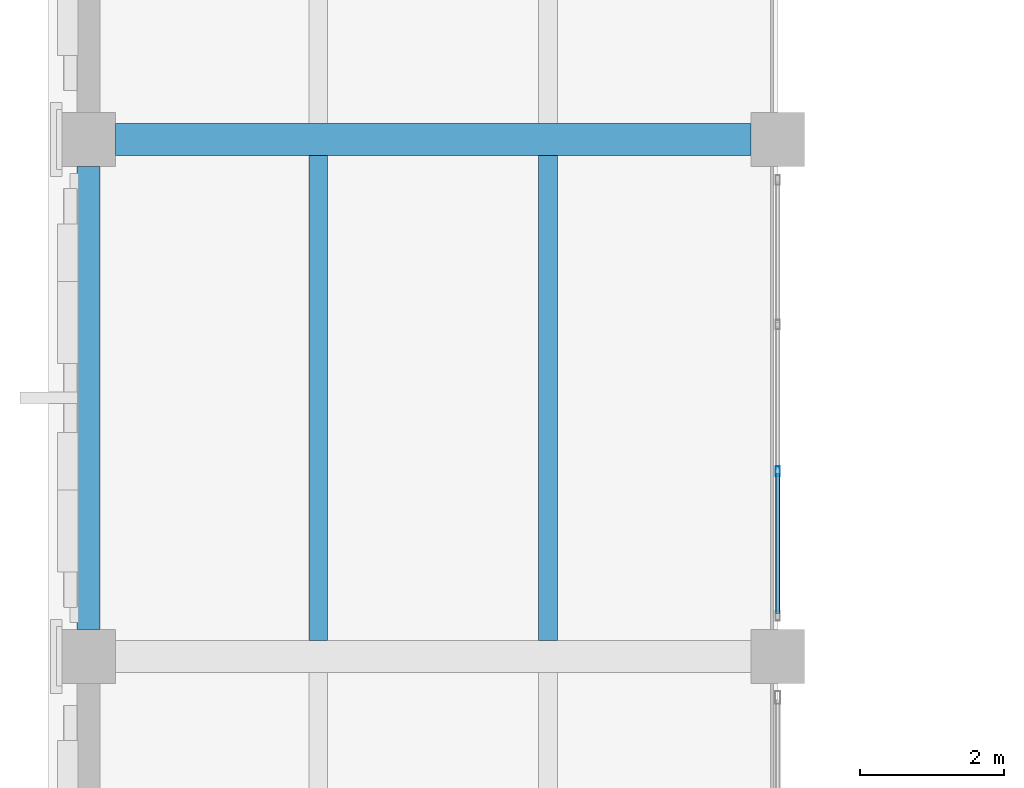
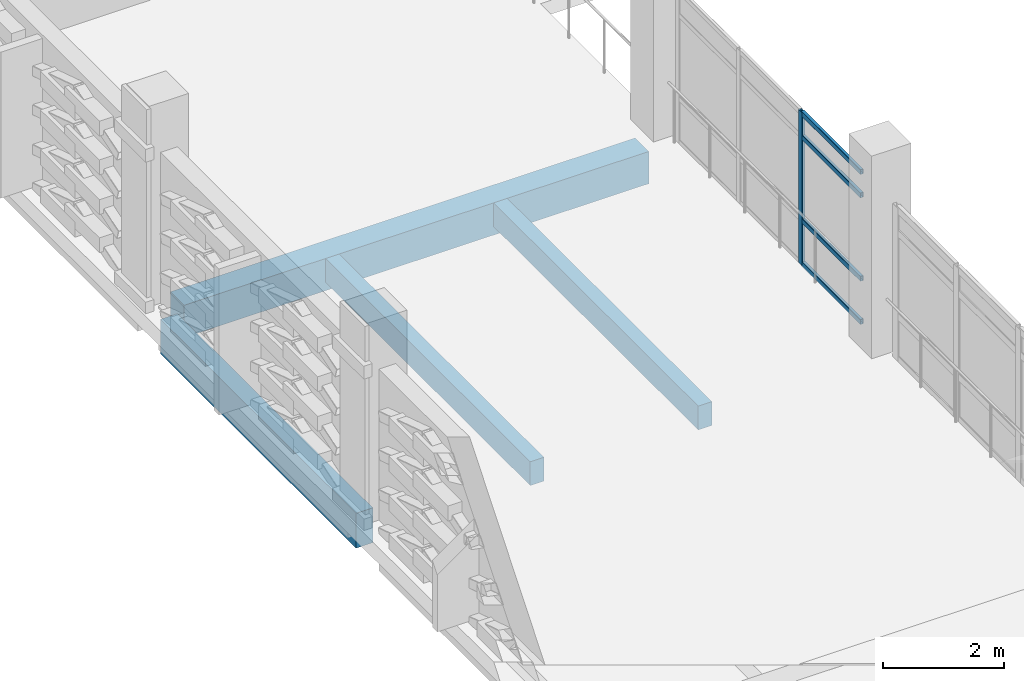
# One storey, part 86 of 180: 5 members, 4 beams, 1 element without a shape of its own.
"""IFC4 building model written with IfcOpenShell, lengths in metres."""

import ifcopenshell
import ifcopenshell.guid

model = None  # the IFC model being written
_history = None  # IfcOwnerHistory: only IFC2X3 demands one
_inside = {}  # id of a spatial element -> (the spatial element, [elements in it])
_under = {}  # id of a project, library or spatial element -> (it, [spatial elements below it])
_declared = {}  # id of a project -> (the project, [libraries it declares])
_typed = {}  # id of a type object -> (the type object, [elements of that type])
_made_of = {}  # id of a material, layer set ... -> (it, [elements and type objects made of it])


def new_model(schema):
    """Start an empty IFC model of exactly this schema.

    Asked for "IFC4X3", IfcOpenShell would pick the latest addendum, in which some entities
    have other attributes; the version numbers below select the first issue.
    IFC2X3 requires an IfcOwnerHistory on every rooted entity: one is made here for all.
    """
    global model, _history
    if schema == "IFC4X3":
        model = ifcopenshell.file(schema_version=(4, 3, 0, 0))
    else:
        model = ifcopenshell.file(schema=schema)
    _inside.clear()
    _under.clear()
    _declared.clear()
    _typed.clear()
    _made_of.clear()
    _history = None
    if model.schema == "IFC2X3":
        org = make("IfcOrganization", Name="unknown")
        user = make(
            "IfcPersonAndOrganization",
            ThePerson=make("IfcPerson", FamilyName="unknown"),
            TheOrganization=org,
        )
        app = make(
            "IfcApplication",
            ApplicationDeveloper=org,
            Version="unknown",
            ApplicationFullName="unknown",
            ApplicationIdentifier="unknown",
        )
        _history = make(
            "IfcOwnerHistory",
            OwningUser=user,
            OwningApplication=app,
            ChangeAction="ADDED",
            CreationDate=0,
        )
    return model


def make(cls, **values):
    """One entity of the class cls with the attributes given. An attribute that is None is left unset."""
    return model.create_entity(
        cls, **{name: value for name, value in values.items() if value is not None}
    )


def rooted(cls, **values):
    """An entity with a GlobalId (a new one), such as an element, a storey or a relation."""
    return make(cls, GlobalId=ifcopenshell.guid.new(), OwnerHistory=_history, **values)


def si_unit(unit_type, name, prefix=None):
    """IfcSIUnit, for example si_unit("LENGTHUNIT", "METRE", prefix="MILLI")."""
    return make("IfcSIUnit", UnitType=unit_type, Prefix=prefix, Name=name)


def assignment(units):
    """IfcUnitAssignment: the units of a project."""
    return None if units is None else make("IfcUnitAssignment", Units=units)


def point(xyz):
    """IfcCartesianPoint."""
    return None if xyz is None else make("IfcCartesianPoint", Coordinates=xyz)


def direction(xyz):
    """IfcDirection."""
    return None if xyz is None else make("IfcDirection", DirectionRatios=xyz)


def frame(location, z_axis=None, x_axis=None):
    """IfcAxis2Placement3D, a coordinate frame: its origin and axes. An axis left out is left unset."""
    return make(
        "IfcAxis2Placement3D",
        Location=point(location),
        Axis=direction(z_axis),
        RefDirection=direction(x_axis),
    )


def frame_2d(location, x_axis=None):
    """IfcAxis2Placement2D, a coordinate frame in the plane: its origin and x axis."""
    return make(
        "IfcAxis2Placement2D", Location=point(location), RefDirection=direction(x_axis)
    )


def origin():
    """The frame at (0, 0, 0) with its axes left unset."""
    return frame((0.0, 0.0, 0.0))


def origin_2d():
    """The frame at (0, 0) in the plane with its x axis left unset."""
    return frame_2d((0.0, 0.0))


def place(relative_to, where):
    """IfcLocalPlacement: puts the frame where relative to a parent placement (None: the world)."""
    return make(
        "IfcLocalPlacement", PlacementRelTo=relative_to, RelativePlacement=where
    )


def context(
    kind, dimensions, precision=None, world=None, true_north=None, identifier=None
):
    """IfcGeometricRepresentationContext, for example the 3D "Model" context."""
    return make(
        "IfcGeometricRepresentationContext",
        ContextIdentifier=identifier,
        ContextType=kind,
        CoordinateSpaceDimension=dimensions,
        Precision=precision,
        WorldCoordinateSystem=world,
        TrueNorth=true_north,
    )


def subcontext(parent, identifier, kind, view, scale=None):
    """IfcGeometricRepresentationSubContext, for example "Body" below "Model"."""
    return make(
        "IfcGeometricRepresentationSubContext",
        ContextIdentifier=identifier,
        ContextType=kind,
        ParentContext=parent,
        TargetScale=scale,
        TargetView=view,
    )


def project(units=None, contexts=None):
    """IfcProject with its units and contexts."""
    return rooted(
        "IfcProject",
        Name="project",
        RepresentationContexts=contexts,
        UnitsInContext=assignment(units),
    )


def spatial(cls, under=None, at=None, **own):
    """A site, building, storey or space (cls), placed at a placement, below another one or the project."""
    s = rooted(cls, ObjectPlacement=at, **own)
    if under is not None:
        _under.setdefault(under.id(), (under, []))[1].append(s)
    return s


def profile(cls, at=None, kind="AREA", **sizes):
    """A parametric profile (cls). Its sizes go by their IFC names, for example OverallWidth=200.0."""
    return make(cls, ProfileType=kind, Position=at, **sizes)


def rectangle(**sizes):
    """IfcRectangleProfileDef."""
    return profile("IfcRectangleProfileDef", **sizes)


def hollow_rectangle(**sizes):
    """IfcRectangleHollowProfileDef."""
    return profile("IfcRectangleHollowProfileDef", **sizes)


def extrude(swept, where, along, depth):
    """IfcExtrudedAreaSolid: the profile swept, set in the frame where, extruded along a direction by depth."""
    return make(
        "IfcExtrudedAreaSolid",
        SweptArea=swept,
        Position=where,
        ExtrudedDirection=direction(along),
        Depth=depth,
    )


def shape(context_of_items, identifier, shape_type, items):
    """IfcShapeRepresentation: the items that make up one representation, for example the "Body"."""
    return make(
        "IfcShapeRepresentation",
        ContextOfItems=context_of_items,
        RepresentationIdentifier=identifier,
        RepresentationType=shape_type,
        Items=items,
    )


def material(Name=None, Category=None):
    """IfcMaterial."""
    return make("IfcMaterial", Name=Name, Category=Category)


def layer(
    of_material, thickness, ventilated=None, Name=None, Category=None, Priority=None
):
    """IfcMaterialLayer: one layer of a wall or slab, of a material (None: an air gap)."""
    return make(
        "IfcMaterialLayer",
        Material=of_material,
        LayerThickness=thickness,
        IsVentilated=ventilated,
        Name=Name,
        Category=Category,
        Priority=Priority,
    )


def layer_set(layers, Name=None):
    """IfcMaterialLayerSet."""
    return make("IfcMaterialLayerSet", MaterialLayers=layers, LayerSetName=Name)


def material_profile(
    of_material, cross_section, Name=None, Category=None, Priority=None
):
    """IfcMaterialProfile: a cross section and its material."""
    return make(
        "IfcMaterialProfile",
        Name=Name,
        Material=of_material,
        Profile=cross_section,
        Priority=Priority,
        Category=Category,
    )


def profile_set(profiles, Name=None, composite=None):
    """IfcMaterialProfileSet."""
    return make(
        "IfcMaterialProfileSet",
        Name=Name,
        MaterialProfiles=profiles,
        CompositeProfile=composite,
    )


def made_of(thing, what):
    """Note that an element or type object is made of a material, layer set ...; save() writes the relation."""
    if what is not None:
        _made_of.setdefault(what.id(), (what, []))[1].append(thing)
    return thing


def type_object(cls, material=None, **own):
    """A type object (cls), such as IfcWallType, which elements share."""
    return made_of(rooted(cls, **own), material)


def element(
    cls,
    number,
    at=None,
    inside=None,
    cuts=None,
    type_object=None,
    material=None,
    context=None,
    identifier="Body",
    shape_type=None,
    held_by="IfcProductDefinitionShape",
    body=None,
    shapes=None,
    **own,
):
    """One element of the class cls, such as IfcWall. Its Tag is "e" and its number.

    at: its placement. inside: the storey or other place that contains it. cuts: it is an
    opening in that element (IfcRelVoidsElement). A single representation is given by context,
    identifier, shape_type and body (its items); several are given by shapes. held_by: the class
    of the entity that holds the representations. save() writes the other relations.
    """
    e = rooted(cls, Tag="e%d" % number, ObjectPlacement=at, **own)
    if body is not None:
        shapes = [shape(context, identifier, shape_type, body)]
    if shapes is not None:
        e.Representation = make(held_by, Representations=shapes)
    if inside is not None:
        _inside.setdefault(inside.id(), (inside, []))[1].append(e)
    if cuts is not None:
        rooted(
            "IfcRelVoidsElement", RelatingBuildingElement=cuts, RelatedOpeningElement=e
        )
    if type_object is not None:
        _typed.setdefault(type_object.id(), (type_object, []))[1].append(e)
    return made_of(e, material)


def aggregate(whole, parts):
    """IfcRelAggregates: a whole, such as a stair, and the parts it consists of."""
    return rooted("IfcRelAggregates", RelatingObject=whole, RelatedObjects=parts)


def save(model, path):
    """Write the relations noted so far, then the file.

    IfcRelAggregates (storeys below a building ...), IfcRelContainedInSpatialStructure (elements
    in a storey), IfcRelDefinesByType, IfcRelAssociatesMaterial and IfcRelDeclares: one each for
    every whole, place, type object, material and project.
    """
    for whole, parts in _under.values():
        aggregate(whole, parts)
    for where, things in _inside.values():
        rooted(
            "IfcRelContainedInSpatialStructure",
            RelatedElements=things,
            RelatingStructure=where,
        )
    for kind, things in _typed.values():
        rooted("IfcRelDefinesByType", RelatedObjects=things, RelatingType=kind)
    for what, things in _made_of.values():
        rooted("IfcRelAssociatesMaterial", RelatedObjects=things, RelatingMaterial=what)
    for by, libraries in _declared.values():
        rooted("IfcRelDeclares", RelatingContext=by, RelatedDefinitions=libraries)
    model.write(path)


model = new_model("IFC4")

# Units and contexts
model_context = context("Model", 3, precision=1e-05, world=origin(), true_north=direction((0.0, 1.0)))
body_context = subcontext(model_context, "Body", "Model", "MODEL_VIEW")
ifc_project = project(units=[si_unit("LENGTHUNIT", "METRE"), si_unit("AREAUNIT", "SQUARE_METRE"), si_unit("VOLUMEUNIT", "CUBIC_METRE"), si_unit("PLANEANGLEUNIT", "RADIAN"), si_unit("MASSUNIT", "GRAM", prefix="KILO")], contexts=[model_context])

# Site, building, storey
site_placement = place(None, origin())
site = spatial("IfcSite", under=ifc_project, at=site_placement, CompositionType="ELEMENT")
building_placement = place(site_placement, origin())
building = spatial("IfcBuilding", under=site, at=building_placement, Name="Asteropetra Specialist Clinic", CompositionType="ELEMENT")
storey_placement = place(building_placement, frame((0.0, 0.0, 4.419921875)))
storey = spatial("IfcBuildingStorey", under=building, at=storey_placement, Name="L01", CompositionType="ELEMENT", Elevation=4.419921875)

# Beam
ifc_material_1 = material(Name="Concrete C35/45", Category="concrete")
ifc_material_profile_1 = material_profile(ifc_material_1, rectangle(XDim=0.449951171875, YDim=0.64990234375, at=origin_2d()), Name="RCB 450x650")
ifc_profile_set_1 = profile_set([ifc_material_profile_1], Name="Concrete C35/45")
beam_type_1 = type_object("IfcBeamType", Name="BM-RC450x650", PredefinedType="BEAM", material=ifc_profile_set_1)
beam_1_placement = place(storey_placement, frame((0.375, 91.199951171875, -0.60498046875), z_axis=(1.0, 0.0, 0.0), x_axis=(0.0, 1.0, 0.0)))
element("IfcBeam", 1, at=beam_1_placement, inside=storey, type_object=beam_type_1, Name="Beam BBM06-0642", PredefinedType="BEAM", context=body_context, shape_type="SweptSolid", body=[
    extrude(rectangle(XDim=0.449951171875, YDim=0.64990234375, at=origin_2d()), origin(), (0.0, 0.0, 1.0), 8.85009765625),
])

# Curtain wall, members
ifc_material_2 = material(Name="Aluminium and low-E glass", Category="aluminium")
ifc_layer = layer(ifc_material_2, 0.14990234375)
ifc_layer_set = layer_set([ifc_layer], Name="Aluminium and low-E glass")
curtain_wall_type = type_object("IfcCurtainWallType", Name="CW-SYS-05", PredefinedType="USERDEFINED", material=ifc_layer_set)
curtain_wall_placement = place(storey_placement, origin())
curtain_wall = element("IfcCurtainWall", 2, at=curtain_wall_placement, inside=storey, type_object=curtain_wall_type, Name="Curtain Wall CW-023", ObjectType="UNITISED CURTAIN WALL", PredefinedType="USERDEFINED")
ifc_material_3 = material(Name="Aluminium 6063-T6", Category="aluminium")
ifc_material_profile_2 = material_profile(ifc_material_3, hollow_rectangle(XDim=0.06005859375, YDim=0.135009765625, WallThickness=0.00341796875, InnerFilletRadius=0.00341796875, OuterFilletRadius=0.007080078125, at=origin_2d()), Name="MUL 135x60x3.5")
ifc_profile_set_2 = profile_set([ifc_material_profile_2], Name="Aluminium 6063-T6")
member_type_1 = type_object("IfcMemberType", Name="CWM-135x60", PredefinedType="MULLION", material=ifc_profile_set_2)
member_1_placement = place(storey_placement, frame((9.60009765625, 86.578369140625, 0.0), z_axis=(0.0, 0.0, 1.0), x_axis=(1.0, 0.0, 0.0)))
member_1 = element("IfcMember", 3, at=member_1_placement, type_object=member_type_1, Name="CW-023 mullion 3", PredefinedType="MULLION", context=body_context, shape_type="SweptSolid", body=[
    extrude(hollow_rectangle(XDim=0.06005859375, YDim=0.135009765625, WallThickness=0.00341796875, InnerFilletRadius=0.00341796875, OuterFilletRadius=0.007080078125, at=origin_2d()), origin(), (0.0, 0.0, 1.0), 3.080078125),
])
ifc_material_4 = material(Name="Aluminium 6063-T6", Category="aluminium")
ifc_material_profile_3 = material_profile(ifc_material_4, hollow_rectangle(XDim=0.06005859375, YDim=0.10009765625, WallThickness=0.00341796875, InnerFilletRadius=0.00341796875, OuterFilletRadius=0.007080078125, at=origin_2d()), Name="TRN 100x60x3.5")
ifc_profile_set_3 = profile_set([ifc_material_profile_3], Name="Aluminium 6063-T6")
member_type_2 = type_object("IfcMemberType", Name="CWT-100x60", PredefinedType="USERDEFINED", material=ifc_profile_set_3)
member_2_placement = place(storey_placement, frame((9.60009765625, 86.54833984375, 0.030029296875), z_axis=(0.0, -1.0, 0.0), x_axis=(1.0, 0.0, 0.0)))
member_2 = element("IfcMember", 4, at=member_2_placement, type_object=member_type_2, Name="CW-023 transom 3.1", ObjectType="TRANSOM", PredefinedType="USERDEFINED", context=body_context, shape_type="SweptSolid", body=[
    extrude(hollow_rectangle(XDim=0.06005859375, YDim=0.10009765625, WallThickness=0.00341796875, InnerFilletRadius=0.00341796875, OuterFilletRadius=0.007080078125, at=origin_2d()), origin(), (0.0, 0.0, 1.0), 1.953369140625),
])
member_3_placement = place(storey_placement, frame((9.60009765625, 86.54833984375, 0.900146484375), z_axis=(0.0, -1.0, 0.0), x_axis=(1.0, 0.0, 0.0)))
member_3 = element("IfcMember", 5, at=member_3_placement, type_object=member_type_2, Name="CW-023 transom 3.2", ObjectType="TRANSOM", PredefinedType="USERDEFINED", context=body_context, shape_type="SweptSolid", body=[
    extrude(hollow_rectangle(XDim=0.06005859375, YDim=0.10009765625, WallThickness=0.00341796875, InnerFilletRadius=0.00341796875, OuterFilletRadius=0.007080078125, at=origin_2d()), origin(), (0.0, 0.0, 1.0), 1.953369140625),
])
member_4_placement = place(storey_placement, frame((9.60009765625, 86.54833984375, 2.580078125), z_axis=(0.0, -1.0, 0.0), x_axis=(1.0, 0.0, 0.0)))
member_4 = element("IfcMember", 6, at=member_4_placement, type_object=member_type_2, Name="CW-023 transom 3.3", ObjectType="TRANSOM", PredefinedType="USERDEFINED", context=body_context, shape_type="SweptSolid", body=[
    extrude(hollow_rectangle(XDim=0.06005859375, YDim=0.10009765625, WallThickness=0.00341796875, InnerFilletRadius=0.00341796875, OuterFilletRadius=0.007080078125, at=origin_2d()), origin(), (0.0, 0.0, 1.0), 1.953369140625),
])
member_5_placement = place(storey_placement, frame((9.60009765625, 86.54833984375, 3.050048828125), z_axis=(0.0, -1.0, 0.0), x_axis=(1.0, 0.0, 0.0)))
member_5 = element("IfcMember", 7, at=member_5_placement, type_object=member_type_2, Name="CW-023 transom 3.4", ObjectType="TRANSOM", PredefinedType="USERDEFINED", context=body_context, shape_type="SweptSolid", body=[
    extrude(hollow_rectangle(XDim=0.06005859375, YDim=0.10009765625, WallThickness=0.00341796875, InnerFilletRadius=0.00341796875, OuterFilletRadius=0.007080078125, at=origin_2d()), origin(), (0.0, 0.0, 1.0), 1.953369140625),
])
aggregate(curtain_wall, [member_1, member_2, member_3, member_4, member_5])

# Beams
ifc_material_5 = material(Name="Concrete C35/45", Category="concrete")
ifc_material_profile_4 = material_profile(ifc_material_5, rectangle(XDim=0.260009765625, YDim=0.47998046875, at=origin_2d()), Name="RCJ 260x480")
ifc_profile_set_4 = profile_set([ifc_material_profile_4], Name="Concrete C35/45")
beam_type_2 = type_object("IfcBeamType", Name="JST-RC260x480", PredefinedType="JOIST", material=ifc_profile_set_4)
for number, where, z_axis, x_axis, name in (
    (8, (3.199951171875, 84.22509765625, -0.52001953125), (0.0, 1.0, 0.0), (-1.0, 0.0, 0.0), "Joist JJST02-0699"),
    (9, (6.39990234375, 84.22509765625, -0.52001953125), (0.0, 1.0, 0.0), (-1.0, 0.0, 0.0), "Joist JJST02-0700"),
):
    element("IfcBeam", number, at=place(storey_placement, frame(where, z_axis=z_axis, x_axis=x_axis)), inside=storey, type_object=beam_type_2, Name=name, PredefinedType="JOIST", context=body_context, shape_type="SweptSolid", body=[
        extrude(rectangle(XDim=0.260009765625, YDim=0.47998046875, at=origin_2d()), origin(), (0.0, 0.0, 1.0), 6.75),
    ])
ifc_material_6 = material(Name="Concrete C35/45", Category="concrete")
ifc_material_profile_5 = material_profile(ifc_material_6, rectangle(XDim=0.320068359375, YDim=0.699951171875, at=origin_2d()), Name="RCS 320x700")
ifc_profile_set_5 = profile_set([ifc_material_profile_5], Name="Concrete C35/45")
beam_type_3 = type_object("IfcBeamType", Name="SPN-RC320x700", PredefinedType="SPANDREL", material=ifc_profile_set_5)
beam_2_placement = place(storey_placement, frame((0.0, 84.375, -0.6298828125), z_axis=(0.0, 1.0, 0.0), x_axis=(-1.0, 0.0, 0.0)))
element("IfcBeam", 10, at=beam_2_placement, inside=storey, type_object=beam_type_3, Name="Beam BSPN02-0696", PredefinedType="SPANDREL", context=body_context, shape_type="SweptSolid", body=[
    extrude(rectangle(XDim=0.320068359375, YDim=0.699951171875, at=origin_2d()), origin(), (0.0, 0.0, 1.0), 6.449951171875),
])

save(model, "model.ifc")
